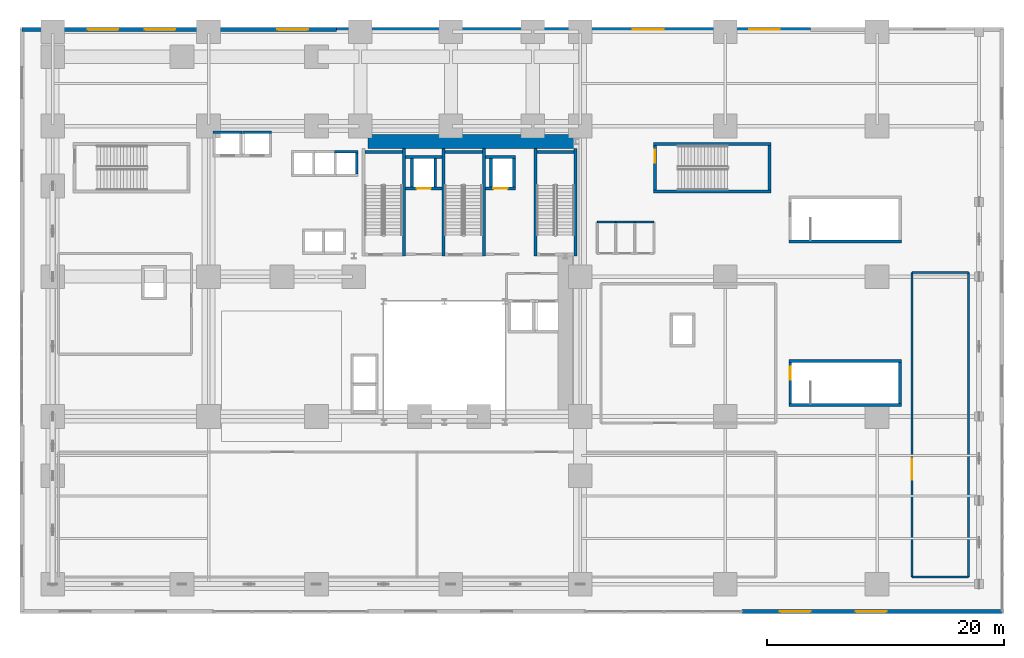
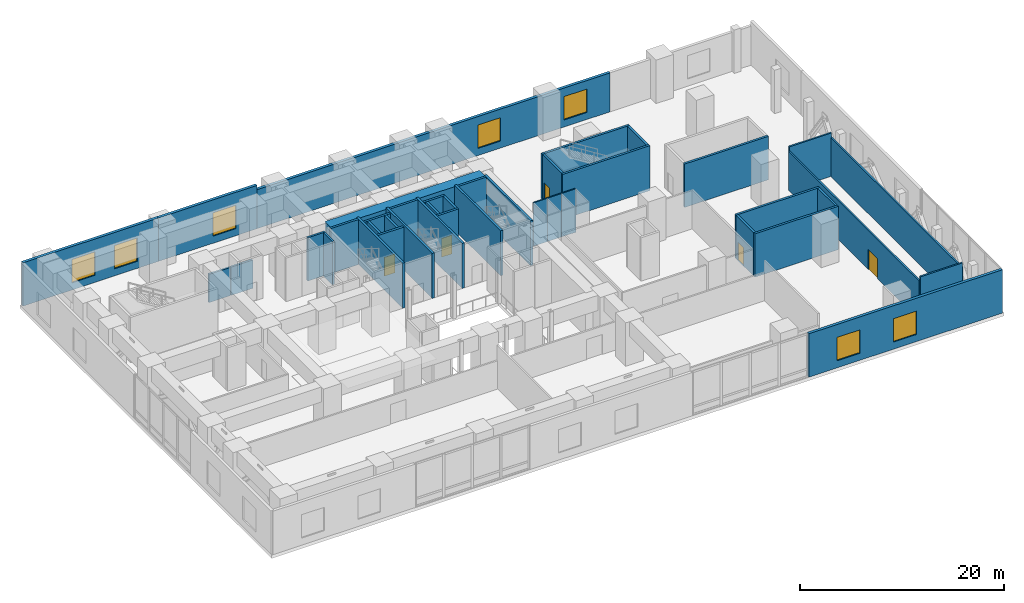
# One storey, part 13 of 17: 41 walls, 7 windows, 5 doors, 12 openings.
"""IFC4 building model written with IfcOpenShell, lengths in metres."""

from ifc_helpers import new_model, si_unit, direction, frame, frame_2d, origin, place, context, subcontext, project, spatial, rectangle, extrude, source, transform, mapped, material, layer, layer_set, type_object, element, fill, save


model = new_model("IFC4")

# Units and contexts
model_context = context("Model", 3, precision=1e-05, world=origin(), true_north=direction((0.0, 1.0)))
body_context = subcontext(model_context, "Body", "Model", "MODEL_VIEW")
ifc_project = project(units=[si_unit("LENGTHUNIT", "METRE"), si_unit("AREAUNIT", "SQUARE_METRE"), si_unit("VOLUMEUNIT", "CUBIC_METRE"), si_unit("PLANEANGLEUNIT", "RADIAN"), si_unit("MASSUNIT", "GRAM", prefix="KILO")], contexts=[model_context])

# Site, building, storey
site_placement = place(None, origin())
site = spatial("IfcSite", under=ifc_project, at=site_placement, CompositionType="ELEMENT")
building_placement = place(site_placement, origin())
building = spatial("IfcBuilding", under=site, at=building_placement, Name="Vardaveli Station Tower", CompositionType="ELEMENT")
storey_placement = place(building_placement, frame((0.0, 0.0, 11.39990234375)))
storey = spatial("IfcBuildingStorey", under=building, at=storey_placement, Name="L03", CompositionType="ELEMENT", Elevation=11.39990234375)

# Wall
ifc_material_1 = material(Name="Concrete C70/85", Category="concrete")
ifc_layer_1 = layer(ifc_material_1, 1.199951171875, Name="Concrete C70/85")
ifc_layer_set_1 = layer_set([ifc_layer_1], Name="Concrete C70/85")
wall_type_1 = type_object("IfcWallType", Name="WAL-CORE-1200", PredefinedType="SHEAR", material=ifc_layer_set_1)
shared_shape_1 = source(origin(), body_context, "Body", "SweptSolid", [
    extrude(rectangle(XDim=17.52001953125, YDim=1.199951171875, at=frame_2d((8.760009765625, 0.0))), origin(), (0.0, 0.0, 1.0), 5.2001953125),
])
wall_1_placement = place(storey_placement, frame((29.85009765625, 40.300048828125, 0.0), z_axis=(0.0, 0.0, 1.0), x_axis=(1.0, 0.0, 0.0)))
element("IfcWall", 1, at=wall_1_placement, inside=storey, type_object=wall_type_1, Name="SW-L03-NORTH", PredefinedType="SHEAR", context=body_context, shape_type="MappedRepresentation", body=[
    mapped(shared_shape_1, transform((0.0, 0.0, 0.0), scale=1.0)),
])

# Wall, openings, windows
ifc_material_2 = material(Name="Precast concrete C45/55", Category="concrete")
ifc_layer_2 = layer(ifc_material_2, 0.320068359375, Name="Precast concrete C45/55")
ifc_layer_set_2 = layer_set([ifc_layer_2], Name="Precast concrete C45/55")
wall_type_2 = type_object("IfcWallType", Name="WAL-EXT-STONE-320", PredefinedType="SOLIDWALL", material=ifc_layer_set_2)
shared_shape_2 = source(origin(), body_context, "Body", "SweptSolid", [
    extrude(rectangle(XDim=21.9501953125, YDim=0.320068359375, at=frame_2d((10.97509765625, 0.0))), origin(), (0.0, 0.0, 1.0), 5.2001953125),
])
wall_2_placement = place(storey_placement, frame((61.39990234375, 0.64990234375, 0.0), z_axis=(0.0, 0.0, 1.0), x_axis=(1.0, 0.0, 0.0)))
wall_2 = element("IfcWall", 2, at=wall_2_placement, inside=storey, type_object=wall_type_2, Name="EW-L03-S5", PredefinedType="SOLIDWALL", context=body_context, shape_type="MappedRepresentation", body=[
    mapped(shared_shape_2, transform((0.0, 0.0, 0.0), scale=1.0)),
])
shared_shape_3 = source(origin(), body_context, "Body", "SweptSolid", [
    extrude(rectangle(XDim=2.60009765625, YDim=2.800048828125, at=frame_2d((1.300048828125, 1.39990234375))), frame((0.0, 0.169921875, 0.0), z_axis=(0.0, -1.0, 0.0), x_axis=(1.0, 0.0, 0.0)), (0.0, 0.0, 1.0), 0.340087890625),
])
opening_1_placement = place(wall_2_placement, frame((3.199951171875, 0.0, 0.85009765625)))
opening_1 = element("IfcOpeningElement", 3, at=opening_1_placement, cuts=wall_2, Name="Opening W-02", PredefinedType="OPENING", context=body_context, shape_type="MappedRepresentation", body=[
    mapped(shared_shape_3, transform((0.0, 0.0, 0.0), scale=1.0)),
])
opening_2_placement = place(wall_2_placement, frame((9.60009765625, 0.0, 0.85009765625)))
opening_2 = element("IfcOpeningElement", 4, at=opening_2_placement, cuts=wall_2, Name="Opening W-02", PredefinedType="OPENING", context=body_context, shape_type="MappedRepresentation", body=[
    mapped(shared_shape_3, transform((0.0, 0.0, 0.0), scale=1.0)),
])
ifc_material_3 = material(Name="Low-E solar-control glass", Category="glass")
window_type = type_object("IfcWindowType", Name="WIN-POD-2600x2800", PartitioningType="SINGLE_PANEL", PredefinedType="WINDOW", material=ifc_material_3)
shared_shape_4 = source(origin(), body_context, "Body", "SweptSolid", [
    extrude(rectangle(XDim=2.60009765625, YDim=2.800048828125, at=frame_2d((1.300048828125, 1.39990234375))), frame((0.0, 0.030029296875, 0.0), z_axis=(0.0, -1.0, 0.0), x_axis=(1.0, 0.0, 0.0)), (0.0, 0.0, 1.0), 0.06005859375),
])
window_1_placement = place(opening_1_placement, origin())
window_1 = element("IfcWindow", 5, at=window_1_placement, inside=storey, type_object=window_type, Name="WN-L03-S5A", OverallHeight=2.800048828125, OverallWidth=2.60009765625, PartitioningType="SINGLE_PANEL", PredefinedType="WINDOW", context=body_context, shape_type="MappedRepresentation", body=[
    mapped(shared_shape_4, transform((0.0, 0.0, 0.0), scale=1.0)),
])
fill(opening_1, window_1)
window_2_placement = place(opening_2_placement, origin())
window_2 = element("IfcWindow", 6, at=window_2_placement, inside=storey, type_object=window_type, Name="WN-L03-S5B", OverallHeight=2.800048828125, OverallWidth=2.60009765625, PartitioningType="SINGLE_PANEL", PredefinedType="WINDOW", context=body_context, shape_type="MappedRepresentation", body=[
    mapped(shared_shape_4, transform((0.0, 0.0, 0.0), scale=1.0)),
])
fill(opening_2, window_2)

shared_shape_5 = source(origin(), body_context, "Body", "SweptSolid", [
    extrude(rectangle(XDim=15.35009765625, YDim=0.320068359375, at=frame_2d((7.675048828125, 0.0))), origin(), (0.0, 0.0, 1.0), 5.2001953125),
])
wall_3_placement = place(storey_placement, frame((16.0, 49.75, 0.0), z_axis=(0.0, 0.0, 1.0), x_axis=(-1.0, 0.0, 0.0)))
wall_3 = element("IfcWall", 7, at=wall_3_placement, inside=storey, type_object=wall_type_2, Name="EW-L03-N1", PredefinedType="SOLIDWALL", context=body_context, shape_type="MappedRepresentation", body=[
    mapped(shared_shape_5, transform((0.0, 0.0, 0.0), scale=1.0)),
])
opening_3_placement = place(wall_3_placement, frame((2.39990234375, 0.0, 0.85009765625)))
opening_3 = element("IfcOpeningElement", 8, at=opening_3_placement, cuts=wall_3, Name="Opening W-02", PredefinedType="OPENING", context=body_context, shape_type="MappedRepresentation", body=[
    mapped(shared_shape_3, transform((0.0, 0.0, 0.0), scale=1.0)),
])
opening_4_placement = place(wall_3_placement, frame((7.199951171875, 0.0, 0.85009765625)))
opening_4 = element("IfcOpeningElement", 9, at=opening_4_placement, cuts=wall_3, Name="Opening W-02", PredefinedType="OPENING", context=body_context, shape_type="MappedRepresentation", body=[
    mapped(shared_shape_3, transform((0.0, 0.0, 0.0), scale=1.0)),
])
window_3_placement = place(opening_3_placement, origin())
window_3 = element("IfcWindow", 10, at=window_3_placement, inside=storey, type_object=window_type, Name="WN-L03-N1A", OverallHeight=2.800048828125, OverallWidth=2.60009765625, PartitioningType="SINGLE_PANEL", PredefinedType="WINDOW", context=body_context, shape_type="MappedRepresentation", body=[
    mapped(shared_shape_4, transform((0.0, 0.0, 0.0), scale=1.0)),
])
fill(opening_3, window_3)
window_4_placement = place(opening_4_placement, origin())
window_4 = element("IfcWindow", 11, at=window_4_placement, inside=storey, type_object=window_type, Name="WN-L03-N1B", OverallHeight=2.800048828125, OverallWidth=2.60009765625, PartitioningType="SINGLE_PANEL", PredefinedType="WINDOW", context=body_context, shape_type="MappedRepresentation", body=[
    mapped(shared_shape_4, transform((0.0, 0.0, 0.0), scale=1.0)),
])
fill(opening_4, window_4)

# Wall, opening, window
shared_shape_6 = source(origin(), body_context, "Body", "SweptSolid", [
    extrude(rectangle(XDim=11.199951171875, YDim=0.320068359375, at=frame_2d((5.60009765625, 0.0))), origin(), (0.0, 0.0, 1.0), 5.2001953125),
])
wall_4_placement = place(storey_placement, frame((27.199951171875, 49.75, 0.0), z_axis=(0.0, 0.0, 1.0), x_axis=(-1.0, 0.0, 0.0)))
wall_4 = element("IfcWall", 12, at=wall_4_placement, inside=storey, type_object=wall_type_2, Name="EW-L03-N2", PredefinedType="SOLIDWALL", context=body_context, shape_type="MappedRepresentation", body=[
    mapped(shared_shape_6, transform((0.0, 0.0, 0.0), scale=1.0)),
])
opening_5_placement = place(wall_4_placement, frame((2.39990234375, 0.0, 0.85009765625)))
opening_5 = element("IfcOpeningElement", 13, at=opening_5_placement, cuts=wall_4, Name="Opening W-02", PredefinedType="OPENING", context=body_context, shape_type="MappedRepresentation", body=[
    mapped(shared_shape_3, transform((0.0, 0.0, 0.0), scale=1.0)),
])
window_5_placement = place(opening_5_placement, origin())
window_5 = element("IfcWindow", 14, at=window_5_placement, inside=storey, type_object=window_type, Name="WN-L03-N2A", OverallHeight=2.800048828125, OverallWidth=2.60009765625, PartitioningType="SINGLE_PANEL", PredefinedType="WINDOW", context=body_context, shape_type="MappedRepresentation", body=[
    mapped(shared_shape_4, transform((0.0, 0.0, 0.0), scale=1.0)),
])
fill(opening_5, window_5)

# Wall, openings, windows
shared_shape_7 = source(origin(), body_context, "Body", "SweptSolid", [
    extrude(rectangle(XDim=40.0, YDim=0.320068359375, at=frame_2d((20.0, 0.0))), origin(), (0.0, 0.0, 1.0), 4.671142578125),
])
wall_5_placement = place(storey_placement, frame((67.199951171875, 49.75, 0.0), z_axis=(0.0, 0.0, 1.0), x_axis=(-1.0, 0.0, 0.0)))
wall_5 = element("IfcWall", 15, at=wall_5_placement, inside=storey, type_object=wall_type_2, Name="EW-L03-N3", PredefinedType="SOLIDWALL", context=body_context, shape_type="MappedRepresentation", body=[
    mapped(shared_shape_7, transform((0.0, 0.0, 0.0), scale=1.0)),
])
opening_6_placement = place(wall_5_placement, frame((2.60009765625, 0.0, 0.85009765625)))
opening_6 = element("IfcOpeningElement", 16, at=opening_6_placement, cuts=wall_5, Name="Opening W-02", PredefinedType="OPENING", context=body_context, shape_type="MappedRepresentation", body=[
    mapped(shared_shape_3, transform((0.0, 0.0, 0.0), scale=1.0)),
])
opening_7_placement = place(wall_5_placement, frame((12.39990234375, 0.0, 0.85009765625)))
opening_7 = element("IfcOpeningElement", 17, at=opening_7_placement, cuts=wall_5, Name="Opening W-02", PredefinedType="OPENING", context=body_context, shape_type="MappedRepresentation", body=[
    mapped(shared_shape_3, transform((0.0, 0.0, 0.0), scale=1.0)),
])
window_6_placement = place(opening_6_placement, origin())
window_6 = element("IfcWindow", 18, at=window_6_placement, inside=storey, type_object=window_type, Name="WN-L03-N3A", OverallHeight=2.800048828125, OverallWidth=2.60009765625, PartitioningType="SINGLE_PANEL", PredefinedType="WINDOW", context=body_context, shape_type="MappedRepresentation", body=[
    mapped(shared_shape_4, transform((0.0, 0.0, 0.0), scale=1.0)),
])
fill(opening_6, window_6)
window_7_placement = place(opening_7_placement, origin())
window_7 = element("IfcWindow", 19, at=window_7_placement, inside=storey, type_object=window_type, Name="WN-L03-N3B", OverallHeight=2.800048828125, OverallWidth=2.60009765625, PartitioningType="SINGLE_PANEL", PredefinedType="WINDOW", context=body_context, shape_type="MappedRepresentation", body=[
    mapped(shared_shape_4, transform((0.0, 0.0, 0.0), scale=1.0)),
])
fill(opening_7, window_7)

# Walls
ifc_material_4 = material(Name="Concrete C40/50", Category="concrete")
ifc_layer_3 = layer(ifc_material_4, 0.25, Name="Concrete C40/50")
ifc_layer_set_3 = layer_set([ifc_layer_3], Name="Concrete C40/50")
wall_type_3 = type_object("IfcWallType", Name="WAL-SHAFT-250", PredefinedType="SOLIDWALL", material=ifc_layer_set_3)
shared_shape_8 = source(origin(), body_context, "Body", "SweptSolid", [
    extrude(rectangle(XDim=9.050048828125, YDim=0.25, at=frame_2d((4.52490234375, 0.0))), origin(), (0.0, 0.0, 1.0), 5.400146484375),
])
for number, where, z_axis, x_axis, name in (
    (20, (32.875, 30.64990234375, 0.0), (0.0, 0.0, 1.0), (0.0, 1.0, 0.0), "W-L03-ST-1E"),
    (21, (36.22509765625, 30.64990234375, 0.0), (0.0, 0.0, 1.0), (0.0, 1.0, 0.0), "W-L03-ST-2W"),
    (22, (39.625, 30.64990234375, 0.0), (0.0, 0.0, 1.0), (0.0, 1.0, 0.0), "W-L03-ST-2E"),
    (23, (43.97509765625, 30.64990234375, 0.0), (0.0, 0.0, 1.0), (0.0, 1.0, 0.0), "W-L03-ST-3W"),
    (24, (47.375, 30.64990234375, 0.0), (0.0, 0.0, 1.0), (0.0, 1.0, 0.0), "W-L03-ST-3E"),
):
    element("IfcWall", number, at=place(storey_placement, frame(where, z_axis=z_axis, x_axis=x_axis)), inside=storey, type_object=wall_type_3, Name=name, PredefinedType="SOLIDWALL", context=body_context, shape_type="MappedRepresentation", body=[
        mapped(shared_shape_8, transform((0.0, 0.0, 0.0), scale=1.0)),
    ])
shared_shape_9 = source(origin(), body_context, "Body", "SweptSolid", [
    extrude(rectangle(XDim=3.14990234375, YDim=0.25, at=frame_2d((1.574951171875, 0.0))), origin(), (0.0, 0.0, 1.0), 5.400146484375),
])
for number, where, z_axis, x_axis, name in (
    (25, (29.60009765625, 39.425048828125, 0.0), (0.0, 0.0, 1.0), (1.0, 0.0, 0.0), "W-L03-ST-1N"),
    (26, (36.35009765625, 39.425048828125, 0.0), (0.0, 0.0, 1.0), (1.0, 0.0, 0.0), "W-L03-ST-2N"),
    (27, (44.10009765625, 39.425048828125, 0.0), (0.0, 0.0, 1.0), (1.0, 0.0, 0.0), "W-L03-ST-3N"),
):
    element("IfcWall", number, at=place(storey_placement, frame(where, z_axis=z_axis, x_axis=x_axis)), inside=storey, type_object=wall_type_3, Name=name, PredefinedType="SOLIDWALL", context=body_context, shape_type="MappedRepresentation", body=[
        mapped(shared_shape_9, transform((0.0, 0.0, 0.0), scale=1.0)),
    ])
shared_shape_10 = source(origin(), body_context, "Body", "SweptSolid", [
    extrude(rectangle(XDim=9.900146484375, YDim=0.25, at=frame_2d((4.9501953125, 0.0))), origin(), (0.0, 0.0, 1.0), 5.400146484375),
])
for number, where, z_axis, x_axis, name in (
    (28, (53.949951171875, 36.074951171875, 0.0), (0.0, 0.0, 1.0), (1.0, 0.0, 0.0), "W-L03-ST-P2S"),
    (29, (53.949951171875, 40.074951171875, 0.0), (0.0, 0.0, 1.0), (1.0, 0.0, 0.0), "W-L03-ST-P2N"),
):
    element("IfcWall", number, at=place(storey_placement, frame(where, z_axis=z_axis, x_axis=x_axis)), inside=storey, type_object=wall_type_3, Name=name, PredefinedType="SOLIDWALL", context=body_context, shape_type="MappedRepresentation", body=[
        mapped(shared_shape_10, transform((0.0, 0.0, 0.0), scale=1.0)),
    ])
shared_shape_11 = source(origin(), body_context, "Body", "SweptSolid", [
    extrude(rectangle(XDim=3.75, YDim=0.25, at=frame_2d((1.875, 0.0))), origin(), (0.0, 0.0, 1.0), 5.400146484375),
])
wall_6_placement = place(storey_placement, frame((63.72509765625, 36.199951171875, 0.0), z_axis=(0.0, 0.0, 1.0), x_axis=(0.0, 1.0, 0.0)))
element("IfcWall", 30, at=wall_6_placement, inside=storey, type_object=wall_type_3, Name="W-L03-ST-P2E", PredefinedType="SOLIDWALL", context=body_context, shape_type="MappedRepresentation", body=[
    mapped(shared_shape_11, transform((0.0, 0.0, 0.0), scale=1.0)),
])

# Wall, opening, door
wall_7_placement = place(storey_placement, frame((54.074951171875, 36.199951171875, 0.0), z_axis=(0.0, 0.0, 1.0), x_axis=(0.0, 1.0, 0.0)))
wall_7 = element("IfcWall", 31, at=wall_7_placement, inside=storey, type_object=wall_type_3, Name="W-L03-ST-P2W", PredefinedType="SOLIDWALL", context=body_context, shape_type="MappedRepresentation", body=[
    mapped(shared_shape_11, transform((0.0, 0.0, 0.0), scale=1.0)),
])
shared_shape_12 = source(origin(), body_context, "Body", "SweptSolid", [
    extrude(rectangle(XDim=1.10009765625, YDim=2.199951171875, at=frame_2d((0.550048828125, 1.10009765625))), frame((0.0, 0.135009765625, 0.0), z_axis=(0.0, -1.0, 0.0), x_axis=(1.0, 0.0, 0.0)), (0.0, 0.0, 1.0), 0.27001953125),
])
opening_8_placement = place(wall_7_placement, frame((2.300048828125, 0.0, 0.0)))
opening_8 = element("IfcOpeningElement", 32, at=opening_8_placement, cuts=wall_7, Name="Opening D-04", PredefinedType="OPENING", context=body_context, shape_type="MappedRepresentation", body=[
    mapped(shared_shape_12, transform((0.0, 0.0, 0.0), scale=1.0)),
])
ifc_material_5 = material(Name="Steel smokeproof fire doorset", Category="steel")
door_type_1 = type_object("IfcDoorType", Name="DR-ST-1100x2200", OperationType="NOTDEFINED", PredefinedType="DOOR", material=ifc_material_5)
shared_shape_13 = source(origin(), body_context, "Body", "SweptSolid", [
    extrude(rectangle(XDim=1.10009765625, YDim=2.199951171875, at=frame_2d((0.550048828125, 1.10009765625))), frame((0.0, 0.02490234375, 0.0), z_axis=(0.0, -1.0, 0.0), x_axis=(1.0, 0.0, 0.0)), (0.0, 0.0, 1.0), 0.050048828125),
])
door_1_placement = place(opening_8_placement, origin())
door_1 = element("IfcDoor", 33, at=door_1_placement, inside=storey, type_object=door_type_1, Name="DST-P2-L03", OperationType="SINGLE_SWING_RIGHT", OverallHeight=2.199951171875, OverallWidth=1.10009765625, PredefinedType="DOOR", context=body_context, shape_type="MappedRepresentation", body=[
    mapped(shared_shape_13, transform((0.0, 0.0, 0.0), scale=1.0)),
])
fill(opening_8, door_1)

# Walls
shared_shape_14 = source(origin(), body_context, "Body", "SweptSolid", [
    extrude(rectangle(XDim=9.5, YDim=0.25, at=frame_2d((4.75, 0.0))), origin(), (0.0, 0.0, 1.0), 5.2001953125),
])
for number, where, z_axis, x_axis, name in (
    (34, (65.35009765625, 18.074951171875, 0.0), (0.0, 0.0, 1.0), (1.0, 0.0, 0.0), "W-L03-ST-C1S"),
    (35, (65.35009765625, 21.77490234375, 0.0), (0.0, 0.0, 1.0), (1.0, 0.0, 0.0), "W-L03-ST-C1N"),
    (36, (65.35009765625, 31.875, 0.0), (0.0, 0.0, 1.0), (1.0, 0.0, 0.0), "W-L03-ST-C2S"),
):
    element("IfcWall", number, at=place(storey_placement, frame(where, z_axis=z_axis, x_axis=x_axis)), inside=storey, type_object=wall_type_3, Name=name, PredefinedType="SOLIDWALL", context=body_context, shape_type="MappedRepresentation", body=[
        mapped(shared_shape_14, transform((0.0, 0.0, 0.0), scale=1.0)),
    ])
shared_shape_15 = source(origin(), body_context, "Body", "SweptSolid", [
    extrude(rectangle(XDim=3.449951171875, YDim=0.25, at=frame_2d((1.72509765625, 0.0))), origin(), (0.0, 0.0, 1.0), 5.2001953125),
])
wall_8_placement = place(storey_placement, frame((74.72509765625, 18.199951171875, 0.0), z_axis=(0.0, 0.0, 1.0), x_axis=(0.0, 1.0, 0.0)))
element("IfcWall", 37, at=wall_8_placement, inside=storey, type_object=wall_type_3, Name="W-L03-ST-C1E", PredefinedType="SOLIDWALL", context=body_context, shape_type="MappedRepresentation", body=[
    mapped(shared_shape_15, transform((0.0, 0.0, 0.0), scale=1.0)),
])

# Wall, opening, door
wall_9_placement = place(storey_placement, frame((65.47509765625, 18.199951171875, 0.0), z_axis=(0.0, 0.0, 1.0), x_axis=(0.0, 1.0, 0.0)))
wall_9 = element("IfcWall", 38, at=wall_9_placement, inside=storey, type_object=wall_type_3, Name="W-L03-ST-C1W", PredefinedType="SOLIDWALL", context=body_context, shape_type="MappedRepresentation", body=[
    mapped(shared_shape_15, transform((0.0, 0.0, 0.0), scale=1.0)),
])
opening_9_placement = place(wall_9_placement, frame((2.0, 0.0, 0.0)))
opening_9 = element("IfcOpeningElement", 39, at=opening_9_placement, cuts=wall_9, Name="Opening D-04", PredefinedType="OPENING", context=body_context, shape_type="MappedRepresentation", body=[
    mapped(shared_shape_12, transform((0.0, 0.0, 0.0), scale=1.0)),
])
door_2_placement = place(opening_9_placement, origin())
door_2 = element("IfcDoor", 40, at=door_2_placement, inside=storey, type_object=door_type_1, Name="DST-C1-L03", OperationType="SINGLE_SWING_RIGHT", OverallHeight=2.199951171875, OverallWidth=1.10009765625, PredefinedType="DOOR", context=body_context, shape_type="MappedRepresentation", body=[
    mapped(shared_shape_13, transform((0.0, 0.0, 0.0), scale=1.0)),
])
fill(opening_9, door_2)

# Walls
shared_shape_16 = source(origin(), body_context, "Body", "SweptSolid", [
    extrude(rectangle(XDim=2.400146484375, YDim=0.25, at=frame_2d((1.2001953125, 0.0))), origin(), (0.0, 0.0, 1.0), 5.2001953125),
])
for number, where, z_axis, x_axis, name in (
    (41, (33.574951171875, 36.449951171875, 0.0), (0.0, 0.0, 1.0), (0.0, 1.0, 0.0), "SHW-FFL-01-L03-W"),
    (42, (35.52490234375, 36.449951171875, 0.0), (0.0, 0.0, 1.0), (0.0, 1.0, 0.0), "SHW-FFL-01-L03-E"),
    (43, (40.22509765625, 36.449951171875, 0.0), (0.0, 0.0, 1.0), (0.0, 1.0, 0.0), "SHW-FFL-02-L03-W"),
    (44, (42.175048828125, 36.449951171875, 0.0), (0.0, 0.0, 1.0), (0.0, 1.0, 0.0), "SHW-FFL-02-L03-E"),
):
    element("IfcWall", number, at=place(storey_placement, frame(where, z_axis=z_axis, x_axis=x_axis)), inside=storey, type_object=wall_type_3, Name=name, PredefinedType="SOLIDWALL", context=body_context, shape_type="MappedRepresentation", body=[
        mapped(shared_shape_16, transform((0.0, 0.0, 0.0), scale=1.0)),
    ])
ifc_layer_4 = layer(ifc_material_4, 0.219970703125, Name="Concrete C40/50")
ifc_layer_set_4 = layer_set([ifc_layer_4], Name="Concrete C40/50")
wall_type_4 = type_object("IfcWallType", Name="WAL-FFLOBBY-220", PredefinedType="SOLIDWALL", material=ifc_layer_set_4)
shared_shape_17 = source(origin(), body_context, "Body", "SweptSolid", [
    extrude(rectangle(XDim=2.43994140625, YDim=0.219970703125, at=frame_2d((1.219970703125, 0.0))), origin(), (0.0, 0.0, 1.0), 3.39208984375),
])
for number, where, z_axis, x_axis, name in (
    (45, (16.780029296875, 41.0849609375, 0.0), (0.0, 0.0, 1.0), (1.0, 0.0, 0.0), "SHW-POD-01-L03-N"),
    (46, (19.280029296875, 41.0849609375, 0.0), (0.0, 0.0, 1.0), (1.0, 0.0, 0.0), "SHW-POD-02-L03-N"),
):
    element("IfcWall", number, at=place(storey_placement, frame(where, z_axis=z_axis, x_axis=x_axis)), inside=storey, type_object=wall_type_4, Name=name, PredefinedType="SOLIDWALL", context=body_context, shape_type="MappedRepresentation", body=[
        mapped(shared_shape_17, transform((0.0, 0.0, 0.0), scale=1.0)),
    ])
shared_shape_18 = source(origin(), body_context, "Body", "SweptSolid", [
    extrude(rectangle(XDim=1.75, YDim=0.219970703125, at=frame_2d((0.875, 0.0))), origin(), (0.0, 0.0, 1.0), 5.2001953125),
])
wall_10_placement = place(storey_placement, frame((28.885009765625, 37.574951171875, 0.0), z_axis=(0.0, 0.0, 1.0), x_axis=(0.0, 1.0, 0.0)))
element("IfcWall", 47, at=wall_10_placement, inside=storey, type_object=wall_type_4, Name="SHW-HL1-03-L03-E", PredefinedType="SOLIDWALL", context=body_context, shape_type="MappedRepresentation", body=[
    mapped(shared_shape_18, transform((0.0, 0.0, 0.0), scale=1.0)),
])
shared_shape_19 = source(origin(), body_context, "Body", "SweptSolid", [
    extrude(rectangle(XDim=1.990234375, YDim=0.219970703125, at=frame_2d((0.9951171875, 0.0))), origin(), (0.0, 0.0, 1.0), 5.2001953125),
])
wall_11_placement = place(storey_placement, frame((27.0048828125, 39.43505859375, 0.0), z_axis=(0.0, 0.0, 1.0), x_axis=(1.0, 0.0, 0.0)))
element("IfcWall", 48, at=wall_11_placement, inside=storey, type_object=wall_type_4, Name="SHW-HL1-03-L03-N", PredefinedType="SOLIDWALL", context=body_context, shape_type="MappedRepresentation", body=[
    mapped(shared_shape_19, transform((0.0, 0.0, 0.0), scale=1.0)),
])

# Wall, opening, door
shared_shape_20 = source(origin(), body_context, "Body", "SweptSolid", [
    extrude(rectangle(XDim=3.10009765625, YDim=0.25, at=frame_2d((1.550048828125, 0.0))), origin(), (0.0, 0.0, 1.0), 5.2001953125),
])
wall_12_placement = place(storey_placement, frame((33.0, 36.324951171875, 0.0), z_axis=(0.0, 0.0, 1.0), x_axis=(1.0, 0.0, 0.0)))
wall_12 = element("IfcWall", 49, at=wall_12_placement, inside=storey, type_object=wall_type_3, Name="SHW-FFL-01-L03-S", PredefinedType="SOLIDWALL", context=body_context, shape_type="MappedRepresentation", body=[
    mapped(shared_shape_20, transform((0.0, 0.0, 0.0), scale=1.0)),
])
shared_shape_21 = source(origin(), body_context, "Body", "SweptSolid", [
    extrude(rectangle(XDim=1.199951171875, YDim=2.25, at=frame_2d((0.60009765625, 1.125))), frame((0.0, 0.135009765625, 0.0), z_axis=(0.0, -1.0, 0.0), x_axis=(1.0, 0.0, 0.0)), (0.0, 0.0, 1.0), 0.27001953125),
])
opening_10_placement = place(wall_12_placement, frame((0.949951171875, 0.0, 0.0)))
opening_10 = element("IfcOpeningElement", 50, at=opening_10_placement, cuts=wall_12, Name="Opening LD-02", PredefinedType="OPENING", context=body_context, shape_type="MappedRepresentation", body=[
    mapped(shared_shape_21, transform((0.0, 0.0, 0.0), scale=1.0)),
])
ifc_material_6 = material(Name="Brushed stainless steel", Category="steel")
door_type_2 = type_object("IfcDoorType", Name="DR-LD-1200x2250", OperationType="DOUBLE_DOOR_SLIDING", PredefinedType="DOOR", material=ifc_material_6)
shared_shape_22 = source(origin(), body_context, "Body", "SweptSolid", [
    extrude(rectangle(XDim=1.199951171875, YDim=2.25, at=frame_2d((0.60009765625, 1.125))), frame((0.0, 0.02490234375, 0.0), z_axis=(0.0, -1.0, 0.0), x_axis=(1.0, 0.0, 0.0)), (0.0, 0.0, 1.0), 0.050048828125),
])
door_3_placement = place(opening_10_placement, origin())
door_3 = element("IfcDoor", 51, at=door_3_placement, inside=storey, type_object=door_type_2, Name="LD-FFL-01-L03", OperationType="DOUBLE_DOOR_SLIDING", OverallHeight=2.25, OverallWidth=1.199951171875, PredefinedType="DOOR", context=body_context, shape_type="MappedRepresentation", body=[
    mapped(shared_shape_22, transform((0.0, 0.0, 0.0), scale=1.0)),
])
fill(opening_10, door_3)

# Wall
wall_13_placement = place(storey_placement, frame((33.0, 38.97509765625, 0.0), z_axis=(0.0, 0.0, 1.0), x_axis=(1.0, 0.0, 0.0)))
element("IfcWall", 52, at=wall_13_placement, inside=storey, type_object=wall_type_3, Name="SHW-FFL-01-L03-N", PredefinedType="SOLIDWALL", context=body_context, shape_type="MappedRepresentation", body=[
    mapped(shared_shape_20, transform((0.0, 0.0, 0.0), scale=1.0)),
])

# Wall, opening, door
shared_shape_23 = source(origin(), body_context, "Body", "SweptSolid", [
    extrude(rectangle(XDim=2.550048828125, YDim=0.25, at=frame_2d((1.27490234375, 0.0))), origin(), (0.0, 0.0, 1.0), 5.2001953125),
])
wall_14_placement = place(storey_placement, frame((39.75, 36.324951171875, 0.0), z_axis=(0.0, 0.0, 1.0), x_axis=(1.0, 0.0, 0.0)))
wall_14 = element("IfcWall", 53, at=wall_14_placement, inside=storey, type_object=wall_type_3, Name="SHW-FFL-02-L03-S", PredefinedType="SOLIDWALL", context=body_context, shape_type="MappedRepresentation", body=[
    mapped(shared_shape_23, transform((0.0, 0.0, 0.0), scale=1.0)),
])
opening_11_placement = place(wall_14_placement, frame((0.675048828125, 0.0, 0.0)))
opening_11 = element("IfcOpeningElement", 54, at=opening_11_placement, cuts=wall_14, Name="Opening LD-02", PredefinedType="OPENING", context=body_context, shape_type="MappedRepresentation", body=[
    mapped(shared_shape_21, transform((0.0, 0.0, 0.0), scale=1.0)),
])
door_4_placement = place(opening_11_placement, origin())
door_4 = element("IfcDoor", 55, at=door_4_placement, inside=storey, type_object=door_type_2, Name="LD-FFL-02-L03", OperationType="DOUBLE_DOOR_SLIDING", OverallHeight=2.25, OverallWidth=1.199951171875, PredefinedType="DOOR", context=body_context, shape_type="MappedRepresentation", body=[
    mapped(shared_shape_22, transform((0.0, 0.0, 0.0), scale=1.0)),
])
fill(opening_11, door_4)

# Wall
wall_15_placement = place(storey_placement, frame((39.75, 38.97509765625, 0.0), z_axis=(0.0, 0.0, 1.0), x_axis=(1.0, 0.0, 0.0)))
element("IfcWall", 56, at=wall_15_placement, inside=storey, type_object=wall_type_3, Name="SHW-FFL-02-L03-N", PredefinedType="SOLIDWALL", context=body_context, shape_type="MappedRepresentation", body=[
    mapped(shared_shape_23, transform((0.0, 0.0, 0.0), scale=1.0)),
])

# Wall, opening, door
ifc_material_7 = material(Name="Fire-rated gypsum stud partition")
ifc_layer_5 = layer(ifc_material_7, 0.179931640625, Name="Fire-rated gypsum stud partition")
ifc_layer_set_5 = layer_set([ifc_layer_5], Name="Fire-rated gypsum stud partition")
wall_type_5 = type_object("IfcWallType", Name="WAL-CORR-180", PredefinedType="PARTITIONING", material=ifc_layer_set_5)
shared_shape_24 = source(origin(), body_context, "Body", "SweptSolid", [
    extrude(rectangle(XDim=25.699951171875, YDim=0.179931640625, at=frame_2d((12.85009765625, 0.0))), origin(), (0.0, 0.0, 1.0), 4.668212890625),
])
wall_16_placement = place(storey_placement, frame((75.75, 3.550048828125, 0.0), z_axis=(0.0, 0.0, 1.0), x_axis=(0.0, 1.0, 0.0)))
wall_16 = element("IfcWall", 57, at=wall_16_placement, inside=storey, type_object=wall_type_5, Name="W-L03-MN5-W", PredefinedType="PARTITIONING", context=body_context, shape_type="MappedRepresentation", body=[
    mapped(shared_shape_24, transform((0.0, 0.0, 0.0), scale=1.0)),
])
shared_shape_25 = source(origin(), body_context, "Body", "SweptSolid", [
    extrude(rectangle(XDim=1.800048828125, YDim=2.39990234375, at=frame_2d((0.89990234375, 1.199951171875))), frame((0.0, 0.10009765625, 0.0), z_axis=(0.0, -1.0, 0.0), x_axis=(1.0, 0.0, 0.0)), (0.0, 0.0, 1.0), 0.199951171875),
])
opening_12_placement = place(wall_16_placement, frame((8.199951171875, 0.0, 0.0)))
opening_12 = element("IfcOpeningElement", 58, at=opening_12_placement, cuts=wall_16, Name="Opening D-01", PredefinedType="OPENING", context=body_context, shape_type="MappedRepresentation", body=[
    mapped(shared_shape_25, transform((0.0, 0.0, 0.0), scale=1.0)),
])
ifc_material_8 = material(Name="Acoustic hardwood fire doorset", Category="wood")
door_type_3 = type_object("IfcDoorType", Name="DR-BALL-1800x2400", OperationType="DOUBLE_DOOR_SINGLE_SWING", PredefinedType="DOOR", material=ifc_material_8)
shared_shape_26 = source(origin(), body_context, "Body", "SweptSolid", [
    extrude(rectangle(XDim=1.800048828125, YDim=2.39990234375, at=frame_2d((0.89990234375, 1.199951171875))), frame((0.0, 0.02490234375, 0.0), z_axis=(0.0, -1.0, 0.0), x_axis=(1.0, 0.0, 0.0)), (0.0, 0.0, 1.0), 0.050048828125),
])
door_5_placement = place(opening_12_placement, origin())
door_5 = element("IfcDoor", 59, at=door_5_placement, inside=storey, type_object=door_type_3, Name="D-L03-5", OperationType="DOUBLE_DOOR_SINGLE_SWING", OverallHeight=2.39990234375, OverallWidth=1.800048828125, PredefinedType="DOOR", context=body_context, shape_type="MappedRepresentation", body=[
    mapped(shared_shape_26, transform((0.0, 0.0, 0.0), scale=1.0)),
])
fill(opening_12, door_5)

# Walls
wall_17_placement = place(storey_placement, frame((80.52001953125, 3.550048828125, 0.0), z_axis=(0.0, 0.0, 1.0), x_axis=(0.0, 1.0, 0.0)))
element("IfcWall", 60, at=wall_17_placement, inside=storey, type_object=wall_type_5, Name="W-L03-MN5-E", PredefinedType="PARTITIONING", context=body_context, shape_type="MappedRepresentation", body=[
    mapped(shared_shape_24, transform((0.0, 0.0, 0.0), scale=1.0)),
])
ifc_material_9 = material(Name="Moisture-resistant stud partition")
ifc_layer_6 = layer(ifc_material_9, 0.14990234375, Name="Moisture-resistant stud partition")
ifc_layer_set_6 = layer_set([ifc_layer_6], Name="Moisture-resistant stud partition")
wall_type_6 = type_object("IfcWallType", Name="WAL-WET-150", PredefinedType="PARTITIONING", material=ifc_layer_set_6)
shared_shape_27 = source(origin(), body_context, "Body", "SweptSolid", [
    extrude(rectangle(XDim=1.619873046875, YDim=0.14990234375, at=frame_2d((0.81005859375, 0.0))), origin(), (0.0, 0.0, 1.0), 5.2001953125),
])
wall_18_placement = place(storey_placement, frame((52.360107421875, 33.5, 0.0), z_axis=(0.0, 0.0, 1.0), x_axis=(1.0, 0.0, 0.0)))
element("IfcWall", 61, at=wall_18_placement, inside=storey, type_object=wall_type_6, Name="W-L03-WCF-N", PredefinedType="PARTITIONING", context=body_context, shape_type="MappedRepresentation", body=[
    mapped(shared_shape_27, transform((0.0, 0.0, 0.0), scale=1.0)),
])
shared_shape_28 = source(origin(), body_context, "Body", "SweptSolid", [
    extrude(rectangle(XDim=1.610107421875, YDim=0.14990234375, at=frame_2d((0.80517578125, 0.0))), origin(), (0.0, 0.0, 1.0), 5.2001953125),
])
wall_19_placement = place(storey_placement, frame((50.75, 33.5, 0.0), z_axis=(0.0, 0.0, 1.0), x_axis=(1.0, 0.0, 0.0)))
element("IfcWall", 62, at=wall_19_placement, inside=storey, type_object=wall_type_6, Name="W-L03-WCM-N", PredefinedType="PARTITIONING", context=body_context, shape_type="MappedRepresentation", body=[
    mapped(shared_shape_28, transform((0.0, 0.0, 0.0), scale=1.0)),
])
shared_shape_29 = source(origin(), body_context, "Body", "SweptSolid", [
    extrude(rectangle(XDim=1.550048828125, YDim=0.14990234375, at=frame_2d((0.77490234375, 0.0))), origin(), (0.0, 0.0, 1.0), 5.2001953125),
])
wall_20_placement = place(storey_placement, frame((49.199951171875, 33.5, 0.0), z_axis=(0.0, 0.0, 1.0), x_axis=(1.0, 0.0, 0.0)))
element("IfcWall", 63, at=wall_20_placement, inside=storey, type_object=wall_type_6, Name="W-L03-WCA-N", PredefinedType="PARTITIONING", context=body_context, shape_type="MappedRepresentation", body=[
    mapped(shared_shape_29, transform((0.0, 0.0, 0.0), scale=1.0)),
])
shared_shape_30 = source(origin(), body_context, "Body", "SweptSolid", [
    extrude(rectangle(XDim=4.77001953125, YDim=0.179931640625, at=frame_2d((2.385009765625, 0.0))), origin(), (0.0, 0.0, 1.0), 5.2001953125),
])
for number, where, z_axis, x_axis, name in (
    (64, (75.75, 3.550048828125, 0.0), (0.0, 0.0, 1.0), (1.0, 0.0, 0.0), "W-L03-MN5-S"),
    (65, (75.75, 29.25, 0.0), (0.0, 0.0, 1.0), (1.0, 0.0, 0.0), "W-L03-MN5-N"),
):
    element("IfcWall", number, at=place(storey_placement, frame(where, z_axis=z_axis, x_axis=x_axis)), inside=storey, type_object=wall_type_5, Name=name, PredefinedType="PARTITIONING", context=body_context, shape_type="MappedRepresentation", body=[
        mapped(shared_shape_30, transform((0.0, 0.0, 0.0), scale=1.0)),
    ])

save(model, "model.ifc")
